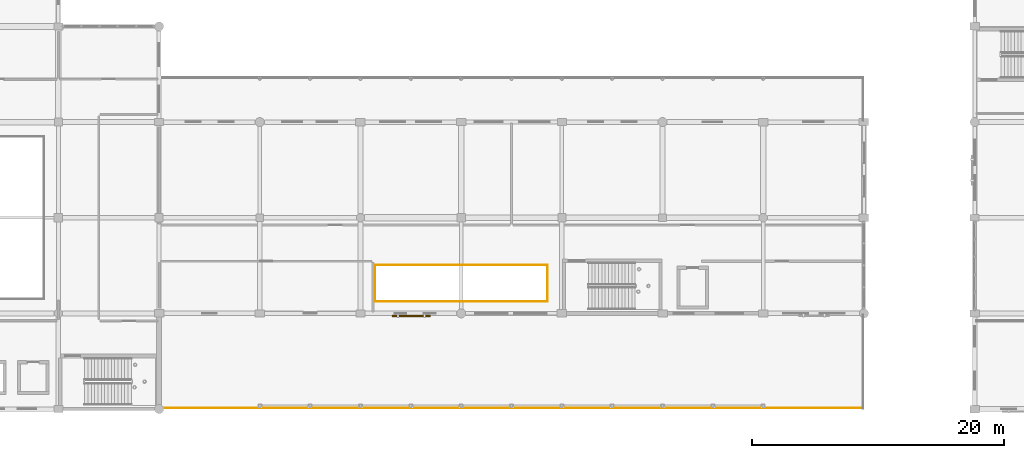
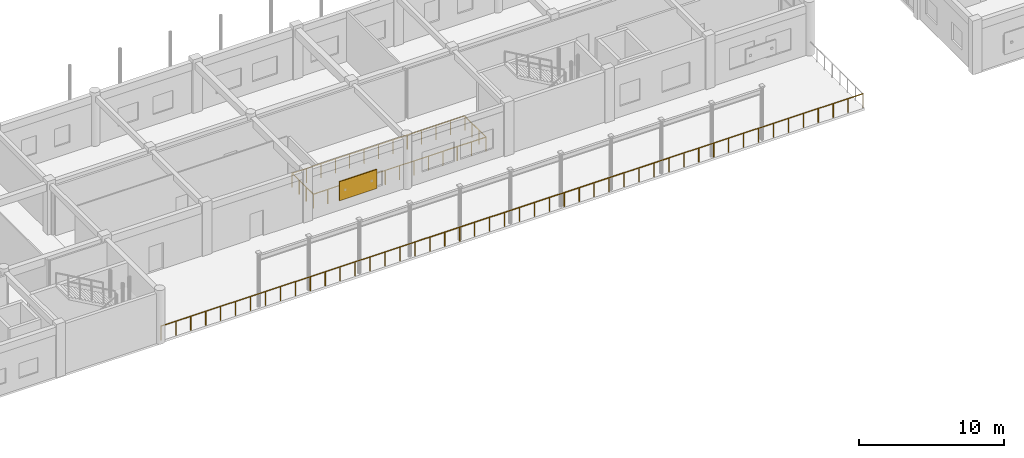
# One storey, part 148 of 160: 5 railings, 1 shading device.
"""IFC4 building model written with IfcOpenShell, lengths in metres."""

from ifc_helpers import new_model, si_unit, direction, frame, origin, origin_2d, place, context, subcontext, project, spatial, rectangle, circle, extrude, material, type_object, element, save


model = new_model("IFC4")

# Units and contexts
model_context = context("Model", 3, precision=1e-05, world=origin(), true_north=direction((0.0, 1.0)))
body_context = subcontext(model_context, "Body", "Model", "MODEL_VIEW")
ifc_project = project(units=[si_unit("LENGTHUNIT", "METRE"), si_unit("AREAUNIT", "SQUARE_METRE"), si_unit("VOLUMEUNIT", "CUBIC_METRE"), si_unit("PLANEANGLEUNIT", "RADIAN"), si_unit("MASSUNIT", "GRAM", prefix="KILO")], contexts=[model_context])

# Site, building, storey
site_placement = place(None, origin())
site = spatial("IfcSite", under=ifc_project, at=site_placement, CompositionType="ELEMENT")
building_placement = place(site_placement, origin())
building = spatial("IfcBuilding", under=site, at=building_placement, Name="Kharva Crest Polytechnic", CompositionType="ELEMENT")
storey_placement = place(building_placement, frame((0.0, 0.0, 4.5)))
storey = spatial("IfcBuildingStorey", under=building, at=storey_placement, Name="L01", CompositionType="ELEMENT", Elevation=4.5)

# Railings
ifc_material_1 = material(Name="Anodised aluminium", Category="aluminium")
railing_type_1 = type_object("IfcRailingType", Name="RL-BALUSTRADE-1200", PredefinedType="BALUSTRADE", material=ifc_material_1)
railing_1_placement = place(storey_placement, frame((56.139892578125, 0.080078125, 0.0)))
element("IfcRailing", 1, at=railing_1_placement, inside=storey, type_object=railing_type_1, Name="L01 ARC_S_L01 S Balustrade 1", PredefinedType="BALUSTRADE", context=body_context, shape_type="SweptSolid", body=[
    extrude(circle(Radius=0.02392578125, at=origin_2d()), frame((0.0, 0.0, 1.17578125), z_axis=(1.0, 0.0, 0.0), x_axis=(0.0, 1.0, 0.0)), (0.0, 0.0, 1.0), 55.800048828125),
    extrude(circle(Radius=0.02099609375, at=origin_2d()), origin(), (0.0, 0.0, 1.0), 1.15185546875),
    extrude(circle(Radius=0.02099609375, at=origin_2d()), frame((1.187255859375, 0.0, 0.0)), (0.0, 0.0, 1.0), 1.15185546875),
    extrude(circle(Radius=0.02099609375, at=origin_2d()), frame((2.37451171875, 0.0, 0.0)), (0.0, 0.0, 1.0), 1.15185546875),
    extrude(circle(Radius=0.02099609375, at=origin_2d()), frame((3.561767578125, 0.0, 0.0)), (0.0, 0.0, 1.0), 1.15185546875),
    extrude(circle(Radius=0.02099609375, at=origin_2d()), frame((4.7490234375, 0.0, 0.0)), (0.0, 0.0, 1.0), 1.15185546875),
    extrude(circle(Radius=0.02099609375, at=origin_2d()), frame((5.936279296875, 0.0, 0.0)), (0.0, 0.0, 1.0), 1.15185546875),
    extrude(circle(Radius=0.02099609375, at=origin_2d()), frame((7.123291015625, 0.0, 0.0)), (0.0, 0.0, 1.0), 1.15185546875),
    extrude(circle(Radius=0.02099609375, at=origin_2d()), frame((8.310546875, 0.0, 0.0)), (0.0, 0.0, 1.0), 1.15185546875),
    extrude(circle(Radius=0.02099609375, at=origin_2d()), frame((9.497802734375, 0.0, 0.0)), (0.0, 0.0, 1.0), 1.15185546875),
    extrude(circle(Radius=0.02099609375, at=origin_2d()), frame((10.68505859375, 0.0, 0.0)), (0.0, 0.0, 1.0), 1.15185546875),
    extrude(circle(Radius=0.02099609375, at=origin_2d()), frame((11.872314453125, 0.0, 0.0)), (0.0, 0.0, 1.0), 1.15185546875),
    extrude(circle(Radius=0.02099609375, at=origin_2d()), frame((13.0595703125, 0.0, 0.0)), (0.0, 0.0, 1.0), 1.15185546875),
    extrude(circle(Radius=0.02099609375, at=origin_2d()), frame((14.246826171875, 0.0, 0.0)), (0.0, 0.0, 1.0), 1.15185546875),
    extrude(circle(Radius=0.02099609375, at=origin_2d()), frame((15.43408203125, 0.0, 0.0)), (0.0, 0.0, 1.0), 1.15185546875),
    extrude(circle(Radius=0.02099609375, at=origin_2d()), frame((16.621337890625, 0.0, 0.0)), (0.0, 0.0, 1.0), 1.15185546875),
    extrude(circle(Radius=0.02099609375, at=origin_2d()), frame((17.80859375, 0.0, 0.0)), (0.0, 0.0, 1.0), 1.15185546875),
    extrude(circle(Radius=0.02099609375, at=origin_2d()), frame((18.995849609375, 0.0, 0.0)), (0.0, 0.0, 1.0), 1.15185546875),
    extrude(circle(Radius=0.02099609375, at=origin_2d()), frame((20.18310546875, 0.0, 0.0)), (0.0, 0.0, 1.0), 1.15185546875),
    extrude(circle(Radius=0.02099609375, at=origin_2d()), frame((21.3701171875, 0.0, 0.0)), (0.0, 0.0, 1.0), 1.15185546875),
    extrude(circle(Radius=0.02099609375, at=origin_2d()), frame((22.557373046875, 0.0, 0.0)), (0.0, 0.0, 1.0), 1.15185546875),
    extrude(circle(Radius=0.02099609375, at=origin_2d()), frame((23.74462890625, 0.0, 0.0)), (0.0, 0.0, 1.0), 1.15185546875),
    extrude(circle(Radius=0.02099609375, at=origin_2d()), frame((24.931884765625, 0.0, 0.0)), (0.0, 0.0, 1.0), 1.15185546875),
    extrude(circle(Radius=0.02099609375, at=origin_2d()), frame((26.119140625, 0.0, 0.0)), (0.0, 0.0, 1.0), 1.15185546875),
    extrude(circle(Radius=0.02099609375, at=origin_2d()), frame((27.306396484375, 0.0, 0.0)), (0.0, 0.0, 1.0), 1.15185546875),
    extrude(circle(Radius=0.02099609375, at=origin_2d()), frame((28.49365234375, 0.0, 0.0)), (0.0, 0.0, 1.0), 1.15185546875),
    extrude(circle(Radius=0.02099609375, at=origin_2d()), frame((29.680908203125, 0.0, 0.0)), (0.0, 0.0, 1.0), 1.15185546875),
    extrude(circle(Radius=0.02099609375, at=origin_2d()), frame((30.8681640625, 0.0, 0.0)), (0.0, 0.0, 1.0), 1.15185546875),
    extrude(circle(Radius=0.02099609375, at=origin_2d()), frame((32.055419921875, 0.0, 0.0)), (0.0, 0.0, 1.0), 1.15185546875),
    extrude(circle(Radius=0.02099609375, at=origin_2d()), frame((33.24267578125, 0.0, 0.0)), (0.0, 0.0, 1.0), 1.15185546875),
    extrude(circle(Radius=0.02099609375, at=origin_2d()), frame((34.429931640625, 0.0, 0.0)), (0.0, 0.0, 1.0), 1.15185546875),
    extrude(circle(Radius=0.02099609375, at=origin_2d()), frame((35.616943359375, 0.0, 0.0)), (0.0, 0.0, 1.0), 1.15185546875),
    extrude(circle(Radius=0.02099609375, at=origin_2d()), frame((36.80419921875, 0.0, 0.0)), (0.0, 0.0, 1.0), 1.15185546875),
    extrude(circle(Radius=0.02099609375, at=origin_2d()), frame((37.991455078125, 0.0, 0.0)), (0.0, 0.0, 1.0), 1.15185546875),
    extrude(circle(Radius=0.02099609375, at=origin_2d()), frame((39.1787109375, 0.0, 0.0)), (0.0, 0.0, 1.0), 1.15185546875),
    extrude(circle(Radius=0.02099609375, at=origin_2d()), frame((40.365966796875, 0.0, 0.0)), (0.0, 0.0, 1.0), 1.15185546875),
    extrude(circle(Radius=0.02099609375, at=origin_2d()), frame((41.55322265625, 0.0, 0.0)), (0.0, 0.0, 1.0), 1.15185546875),
    extrude(circle(Radius=0.02099609375, at=origin_2d()), frame((42.740478515625, 0.0, 0.0)), (0.0, 0.0, 1.0), 1.15185546875),
    extrude(circle(Radius=0.02099609375, at=origin_2d()), frame((43.927734375, 0.0, 0.0)), (0.0, 0.0, 1.0), 1.15185546875),
    extrude(circle(Radius=0.02099609375, at=origin_2d()), frame((45.114990234375, 0.0, 0.0)), (0.0, 0.0, 1.0), 1.15185546875),
    extrude(circle(Radius=0.02099609375, at=origin_2d()), frame((46.30224609375, 0.0, 0.0)), (0.0, 0.0, 1.0), 1.15185546875),
    extrude(circle(Radius=0.02099609375, at=origin_2d()), frame((47.489501953125, 0.0, 0.0)), (0.0, 0.0, 1.0), 1.15185546875),
    extrude(circle(Radius=0.02099609375, at=origin_2d()), frame((48.6767578125, 0.0, 0.0)), (0.0, 0.0, 1.0), 1.15185546875),
    extrude(circle(Radius=0.02099609375, at=origin_2d()), frame((49.86376953125, 0.0, 0.0)), (0.0, 0.0, 1.0), 1.15185546875),
    extrude(circle(Radius=0.02099609375, at=origin_2d()), frame((51.051025390625, 0.0, 0.0)), (0.0, 0.0, 1.0), 1.15185546875),
    extrude(circle(Radius=0.02099609375, at=origin_2d()), frame((52.23828125, 0.0, 0.0)), (0.0, 0.0, 1.0), 1.15185546875),
    extrude(circle(Radius=0.02099609375, at=origin_2d()), frame((53.425537109375, 0.0, 0.0)), (0.0, 0.0, 1.0), 1.15185546875),
    extrude(circle(Radius=0.02099609375, at=origin_2d()), frame((54.61279296875, 0.0, 0.0)), (0.0, 0.0, 1.0), 1.15185546875),
    extrude(circle(Radius=0.02099609375, at=origin_2d()), frame((55.800048828125, 0.0, 0.0)), (0.0, 0.0, 1.0), 1.15185546875),
])
railing_type_2 = type_object("IfcRailingType", Name="RL-VOID-GUARD-1200", PredefinedType="GUARDRAIL", material=ifc_material_1)
railing_2_placement = place(storey_placement, frame((73.139892578125, 8.5400390625, 0.0)))
element("IfcRailing", 2, at=railing_2_placement, inside=storey, type_object=railing_type_2, Name="L01 Atrium Void Guard 17", PredefinedType="GUARDRAIL", context=body_context, shape_type="SweptSolid", body=[
    extrude(circle(Radius=0.02392578125, at=origin_2d()), frame((0.0, 0.0, 1.17578125), z_axis=(1.0, 0.0, 0.0), x_axis=(0.0, 1.0, 0.0)), (0.0, 0.0, 1.0), 13.72021484375),
    extrude(circle(Radius=0.02099609375, at=origin_2d()), origin(), (0.0, 0.0, 1.0), 1.15185546875),
    extrude(circle(Radius=0.02099609375, at=origin_2d()), frame((1.143310546875, 0.0, 0.0)), (0.0, 0.0, 1.0), 1.15185546875),
    extrude(circle(Radius=0.02099609375, at=origin_2d()), frame((2.28662109375, 0.0, 0.0)), (0.0, 0.0, 1.0), 1.15185546875),
    extrude(circle(Radius=0.02099609375, at=origin_2d()), frame((3.43017578125, 0.0, 0.0)), (0.0, 0.0, 1.0), 1.15185546875),
    extrude(circle(Radius=0.02099609375, at=origin_2d()), frame((4.573486328125, 0.0, 0.0)), (0.0, 0.0, 1.0), 1.15185546875),
    extrude(circle(Radius=0.02099609375, at=origin_2d()), frame((5.716796875, 0.0, 0.0)), (0.0, 0.0, 1.0), 1.15185546875),
    extrude(circle(Radius=0.02099609375, at=origin_2d()), frame((6.860107421875, 0.0, 0.0)), (0.0, 0.0, 1.0), 1.15185546875),
    extrude(circle(Radius=0.02099609375, at=origin_2d()), frame((8.00341796875, 0.0, 0.0)), (0.0, 0.0, 1.0), 1.15185546875),
    extrude(circle(Radius=0.02099609375, at=origin_2d()), frame((9.146728515625, 0.0, 0.0)), (0.0, 0.0, 1.0), 1.15185546875),
    extrude(circle(Radius=0.02099609375, at=origin_2d()), frame((10.2900390625, 0.0, 0.0)), (0.0, 0.0, 1.0), 1.15185546875),
    extrude(circle(Radius=0.02099609375, at=origin_2d()), frame((11.43359375, 0.0, 0.0)), (0.0, 0.0, 1.0), 1.15185546875),
    extrude(circle(Radius=0.02099609375, at=origin_2d()), frame((12.576904296875, 0.0, 0.0)), (0.0, 0.0, 1.0), 1.15185546875),
    extrude(circle(Radius=0.02099609375, at=origin_2d()), frame((13.72021484375, 0.0, 0.0)), (0.0, 0.0, 1.0), 1.15185546875),
])
railing_3_placement = place(storey_placement, frame((86.860107421875, 8.5400390625, 0.0)))
element("IfcRailing", 3, at=railing_3_placement, inside=storey, type_object=railing_type_2, Name="L01 Atrium Void Guard 18", PredefinedType="GUARDRAIL", context=body_context, shape_type="SweptSolid", body=[
    extrude(circle(Radius=0.02392578125, at=origin_2d()), frame((0.0, 0.0, 1.17578125), z_axis=(0.0, 1.0, 0.0), x_axis=(-1.0, 0.0, 0.0)), (0.0, 0.0, 1.0), 2.919921875),
    extrude(circle(Radius=0.02099609375, at=origin_2d()), origin(), (0.0, 0.0, 1.0), 1.15185546875),
    extrude(circle(Radius=0.02099609375, at=origin_2d()), frame((0.0, 0.973388671875, 0.0)), (0.0, 0.0, 1.0), 1.15185546875),
    extrude(circle(Radius=0.02099609375, at=origin_2d()), frame((0.0, 1.946533203125, 0.0)), (0.0, 0.0, 1.0), 1.15185546875),
    extrude(circle(Radius=0.02099609375, at=origin_2d()), frame((0.0, 2.919921875, 0.0)), (0.0, 0.0, 1.0), 1.15185546875),
])
railing_4_placement = place(storey_placement, frame((86.860107421875, 11.4599609375, 0.0)))
element("IfcRailing", 4, at=railing_4_placement, inside=storey, type_object=railing_type_2, Name="L01 Atrium Void Guard 19", PredefinedType="GUARDRAIL", context=body_context, shape_type="SweptSolid", body=[
    extrude(circle(Radius=0.02392578125, at=origin_2d()), frame((0.0, 0.0, 1.17578125), z_axis=(-1.0, 0.0, 0.0), x_axis=(0.0, -1.0, 0.0)), (0.0, 0.0, 1.0), 13.72021484375),
    extrude(circle(Radius=0.02099609375, at=origin_2d()), origin(), (0.0, 0.0, 1.0), 1.15185546875),
    extrude(circle(Radius=0.02099609375, at=origin_2d()), frame((-1.143310546875, 0.0, 0.0)), (0.0, 0.0, 1.0), 1.15185546875),
    extrude(circle(Radius=0.02099609375, at=origin_2d()), frame((-2.28662109375, 0.0, 0.0)), (0.0, 0.0, 1.0), 1.15185546875),
    extrude(circle(Radius=0.02099609375, at=origin_2d()), frame((-3.43017578125, 0.0, 0.0)), (0.0, 0.0, 1.0), 1.15185546875),
    extrude(circle(Radius=0.02099609375, at=origin_2d()), frame((-4.573486328125, 0.0, 0.0)), (0.0, 0.0, 1.0), 1.15185546875),
    extrude(circle(Radius=0.02099609375, at=origin_2d()), frame((-5.716796875, 0.0, 0.0)), (0.0, 0.0, 1.0), 1.15185546875),
    extrude(circle(Radius=0.02099609375, at=origin_2d()), frame((-6.860107421875, 0.0, 0.0)), (0.0, 0.0, 1.0), 1.15185546875),
    extrude(circle(Radius=0.02099609375, at=origin_2d()), frame((-8.00341796875, 0.0, 0.0)), (0.0, 0.0, 1.0), 1.15185546875),
    extrude(circle(Radius=0.02099609375, at=origin_2d()), frame((-9.146728515625, 0.0, 0.0)), (0.0, 0.0, 1.0), 1.15185546875),
    extrude(circle(Radius=0.02099609375, at=origin_2d()), frame((-10.2900390625, 0.0, 0.0)), (0.0, 0.0, 1.0), 1.15185546875),
    extrude(circle(Radius=0.02099609375, at=origin_2d()), frame((-11.43359375, 0.0, 0.0)), (0.0, 0.0, 1.0), 1.15185546875),
    extrude(circle(Radius=0.02099609375, at=origin_2d()), frame((-12.576904296875, 0.0, 0.0)), (0.0, 0.0, 1.0), 1.15185546875),
    extrude(circle(Radius=0.02099609375, at=origin_2d()), frame((-13.72021484375, 0.0, 0.0)), (0.0, 0.0, 1.0), 1.15185546875),
])
railing_5_placement = place(storey_placement, frame((73.139892578125, 11.4599609375, 0.0)))
element("IfcRailing", 5, at=railing_5_placement, inside=storey, type_object=railing_type_2, Name="L01 Atrium Void Guard 20", PredefinedType="GUARDRAIL", context=body_context, shape_type="SweptSolid", body=[
    extrude(circle(Radius=0.02392578125, at=origin_2d()), frame((0.0, 0.0, 1.17578125), z_axis=(0.0, -1.0, 0.0), x_axis=(1.0, 0.0, 0.0)), (0.0, 0.0, 1.0), 2.919921875),
    extrude(circle(Radius=0.02099609375, at=origin_2d()), origin(), (0.0, 0.0, 1.0), 1.15185546875),
    extrude(circle(Radius=0.02099609375, at=origin_2d()), frame((0.0, -0.973388671875, 0.0)), (0.0, 0.0, 1.0), 1.15185546875),
    extrude(circle(Radius=0.02099609375, at=origin_2d()), frame((0.0, -1.946533203125, 0.0)), (0.0, 0.0, 1.0), 1.15185546875),
    extrude(circle(Radius=0.02099609375, at=origin_2d()), frame((0.0, -2.919921875, 0.0)), (0.0, 0.0, 1.0), 1.15185546875),
])

# Shading device
ifc_material_2 = material(Name="Perforated terracotta", Category="masonry")
shading_device_type = type_object("IfcShadingDeviceType", Name="SHD-JAALI-3000X1600", PredefinedType="USERDEFINED", material=ifc_material_2)
shading_device_placement = place(storey_placement, frame((76.0263671875, 7.39453125, 0.849853515625), z_axis=(0.0, 0.0, 1.0), x_axis=(1.0, 0.0, 0.0)))
element("IfcShadingDevice", 6, at=shading_device_placement, inside=storey, type_object=shading_device_type, Name="L01 Terracotta Jaali Solar Screen 28", ObjectType="LOUVRE", PredefinedType="USERDEFINED", context=body_context, shape_type="SweptSolid", body=[
    extrude(rectangle(XDim=3.0, YDim=0.080078125, at=origin_2d()), origin(), (0.0, 0.0, 1.0), 1.60009765625),
])

save(model, "model.ifc")
